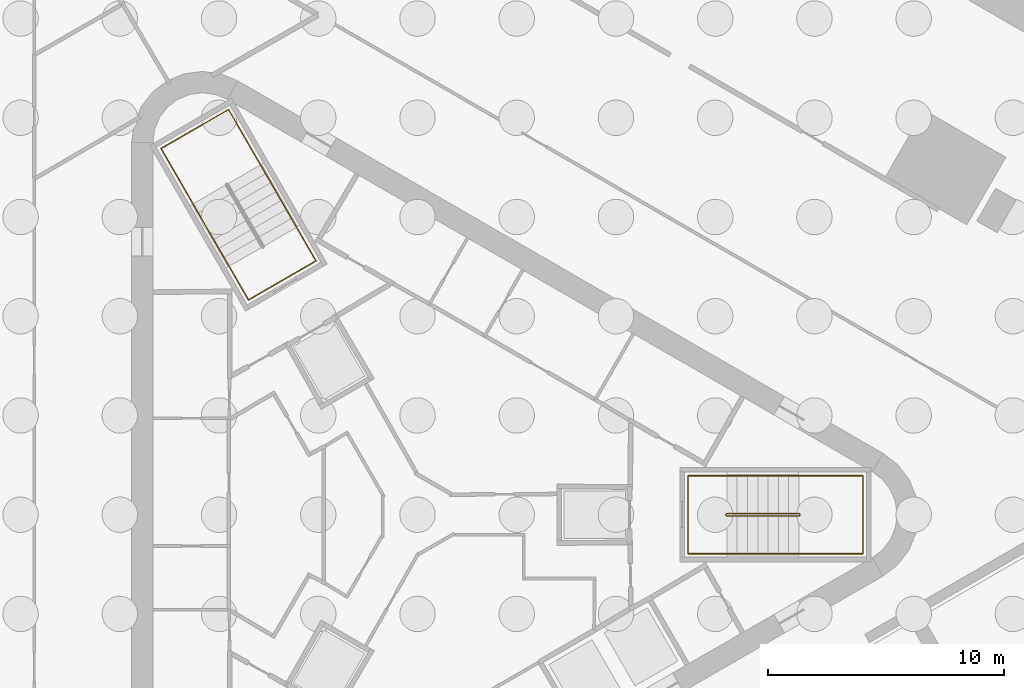
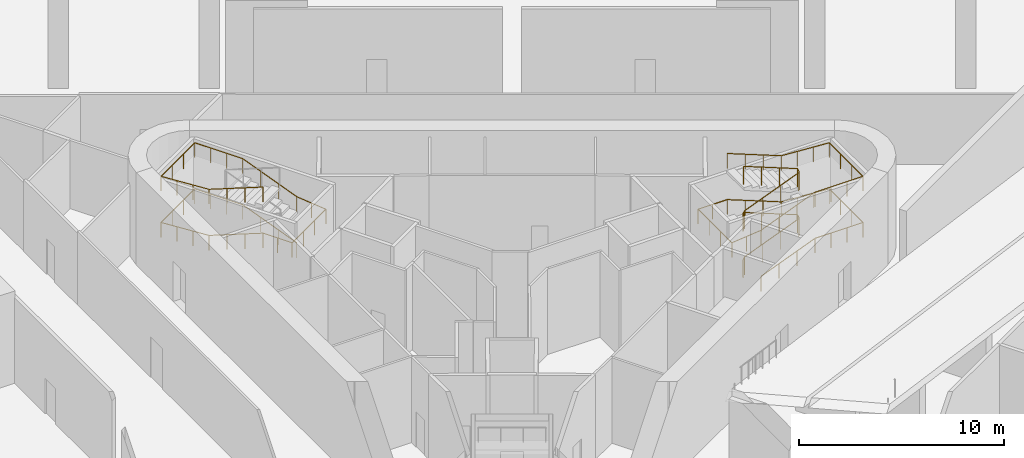
# One storey, part 12 of 13: 3 railings.
"""IFC4 building model written with IfcOpenShell, lengths in metres."""

import ifcopenshell
import ifcopenshell.guid

model = None  # the IFC model being written
_history = None  # IfcOwnerHistory: only IFC2X3 demands one
_inside = {}  # id of a spatial element -> (the spatial element, [elements in it])
_under = {}  # id of a project, library or spatial element -> (it, [spatial elements below it])
_declared = {}  # id of a project -> (the project, [libraries it declares])
_typed = {}  # id of a type object -> (the type object, [elements of that type])
_made_of = {}  # id of a material, layer set ... -> (it, [elements and type objects made of it])


def new_model(schema):
    """Start an empty IFC model of exactly this schema.

    Asked for "IFC4X3", IfcOpenShell would pick the latest addendum, in which some entities
    have other attributes; the version numbers below select the first issue.
    IFC2X3 requires an IfcOwnerHistory on every rooted entity: one is made here for all.
    """
    global model, _history
    if schema == "IFC4X3":
        model = ifcopenshell.file(schema_version=(4, 3, 0, 0))
    else:
        model = ifcopenshell.file(schema=schema)
    _inside.clear()
    _under.clear()
    _declared.clear()
    _typed.clear()
    _made_of.clear()
    _history = None
    if model.schema == "IFC2X3":
        org = make("IfcOrganization", Name="unknown")
        user = make(
            "IfcPersonAndOrganization",
            ThePerson=make("IfcPerson", FamilyName="unknown"),
            TheOrganization=org,
        )
        app = make(
            "IfcApplication",
            ApplicationDeveloper=org,
            Version="unknown",
            ApplicationFullName="unknown",
            ApplicationIdentifier="unknown",
        )
        _history = make(
            "IfcOwnerHistory",
            OwningUser=user,
            OwningApplication=app,
            ChangeAction="ADDED",
            CreationDate=0,
        )
    return model


def make(cls, **values):
    """One entity of the class cls with the attributes given. An attribute that is None is left unset."""
    return model.create_entity(
        cls, **{name: value for name, value in values.items() if value is not None}
    )


def rooted(cls, **values):
    """An entity with a GlobalId (a new one), such as an element, a storey or a relation."""
    return make(cls, GlobalId=ifcopenshell.guid.new(), OwnerHistory=_history, **values)


def si_unit(unit_type, name, prefix=None):
    """IfcSIUnit, for example si_unit("LENGTHUNIT", "METRE", prefix="MILLI")."""
    return make("IfcSIUnit", UnitType=unit_type, Prefix=prefix, Name=name)


def assignment(units):
    """IfcUnitAssignment: the units of a project."""
    return None if units is None else make("IfcUnitAssignment", Units=units)


def point(xyz):
    """IfcCartesianPoint."""
    return None if xyz is None else make("IfcCartesianPoint", Coordinates=xyz)


def direction(xyz):
    """IfcDirection."""
    return None if xyz is None else make("IfcDirection", DirectionRatios=xyz)


def frame(location, z_axis=None, x_axis=None):
    """IfcAxis2Placement3D, a coordinate frame: its origin and axes. An axis left out is left unset."""
    return make(
        "IfcAxis2Placement3D",
        Location=point(location),
        Axis=direction(z_axis),
        RefDirection=direction(x_axis),
    )


def frame_2d(location, x_axis=None):
    """IfcAxis2Placement2D, a coordinate frame in the plane: its origin and x axis."""
    return make(
        "IfcAxis2Placement2D", Location=point(location), RefDirection=direction(x_axis)
    )


def origin():
    """The frame at (0, 0, 0) with its axes left unset."""
    return frame((0.0, 0.0, 0.0))


def origin_2d():
    """The frame at (0, 0) in the plane with its x axis left unset."""
    return frame_2d((0.0, 0.0))


def place(relative_to, where):
    """IfcLocalPlacement: puts the frame where relative to a parent placement (None: the world)."""
    return make(
        "IfcLocalPlacement", PlacementRelTo=relative_to, RelativePlacement=where
    )


def context(
    kind, dimensions, precision=None, world=None, true_north=None, identifier=None
):
    """IfcGeometricRepresentationContext, for example the 3D "Model" context."""
    return make(
        "IfcGeometricRepresentationContext",
        ContextIdentifier=identifier,
        ContextType=kind,
        CoordinateSpaceDimension=dimensions,
        Precision=precision,
        WorldCoordinateSystem=world,
        TrueNorth=true_north,
    )


def subcontext(parent, identifier, kind, view, scale=None):
    """IfcGeometricRepresentationSubContext, for example "Body" below "Model"."""
    return make(
        "IfcGeometricRepresentationSubContext",
        ContextIdentifier=identifier,
        ContextType=kind,
        ParentContext=parent,
        TargetScale=scale,
        TargetView=view,
    )


def project(units=None, contexts=None):
    """IfcProject with its units and contexts."""
    return rooted(
        "IfcProject",
        Name="project",
        RepresentationContexts=contexts,
        UnitsInContext=assignment(units),
    )


def spatial(cls, under=None, at=None, **own):
    """A site, building, storey or space (cls), placed at a placement, below another one or the project."""
    s = rooted(cls, ObjectPlacement=at, **own)
    if under is not None:
        _under.setdefault(under.id(), (under, []))[1].append(s)
    return s


def profile(cls, at=None, kind="AREA", **sizes):
    """A parametric profile (cls). Its sizes go by their IFC names, for example OverallWidth=200.0."""
    return make(cls, ProfileType=kind, Position=at, **sizes)


def circle(**sizes):
    """IfcCircleProfileDef."""
    return profile("IfcCircleProfileDef", **sizes)


def extrude(swept, where, along, depth):
    """IfcExtrudedAreaSolid: the profile swept, set in the frame where, extruded along a direction by depth."""
    return make(
        "IfcExtrudedAreaSolid",
        SweptArea=swept,
        Position=where,
        ExtrudedDirection=direction(along),
        Depth=depth,
    )


def shape(context_of_items, identifier, shape_type, items):
    """IfcShapeRepresentation: the items that make up one representation, for example the "Body"."""
    return make(
        "IfcShapeRepresentation",
        ContextOfItems=context_of_items,
        RepresentationIdentifier=identifier,
        RepresentationType=shape_type,
        Items=items,
    )


def material(Name=None, Category=None):
    """IfcMaterial."""
    return make("IfcMaterial", Name=Name, Category=Category)


def made_of(thing, what):
    """Note that an element or type object is made of a material, layer set ...; save() writes the relation."""
    if what is not None:
        _made_of.setdefault(what.id(), (what, []))[1].append(thing)
    return thing


def type_object(cls, material=None, **own):
    """A type object (cls), such as IfcWallType, which elements share."""
    return made_of(rooted(cls, **own), material)


def element(
    cls,
    number,
    at=None,
    inside=None,
    cuts=None,
    type_object=None,
    material=None,
    context=None,
    identifier="Body",
    shape_type=None,
    held_by="IfcProductDefinitionShape",
    body=None,
    shapes=None,
    **own,
):
    """One element of the class cls, such as IfcWall. Its Tag is "e" and its number.

    at: its placement. inside: the storey or other place that contains it. cuts: it is an
    opening in that element (IfcRelVoidsElement). A single representation is given by context,
    identifier, shape_type and body (its items); several are given by shapes. held_by: the class
    of the entity that holds the representations. save() writes the other relations.
    """
    e = rooted(cls, Tag="e%d" % number, ObjectPlacement=at, **own)
    if body is not None:
        shapes = [shape(context, identifier, shape_type, body)]
    if shapes is not None:
        e.Representation = make(held_by, Representations=shapes)
    if inside is not None:
        _inside.setdefault(inside.id(), (inside, []))[1].append(e)
    if cuts is not None:
        rooted(
            "IfcRelVoidsElement", RelatingBuildingElement=cuts, RelatedOpeningElement=e
        )
    if type_object is not None:
        _typed.setdefault(type_object.id(), (type_object, []))[1].append(e)
    return made_of(e, material)


def aggregate(whole, parts):
    """IfcRelAggregates: a whole, such as a stair, and the parts it consists of."""
    return rooted("IfcRelAggregates", RelatingObject=whole, RelatedObjects=parts)


def save(model, path):
    """Write the relations noted so far, then the file.

    IfcRelAggregates (storeys below a building ...), IfcRelContainedInSpatialStructure (elements
    in a storey), IfcRelDefinesByType, IfcRelAssociatesMaterial and IfcRelDeclares: one each for
    every whole, place, type object, material and project.
    """
    for whole, parts in _under.values():
        aggregate(whole, parts)
    for where, things in _inside.values():
        rooted(
            "IfcRelContainedInSpatialStructure",
            RelatedElements=things,
            RelatingStructure=where,
        )
    for kind, things in _typed.values():
        rooted("IfcRelDefinesByType", RelatedObjects=things, RelatingType=kind)
    for what, things in _made_of.values():
        rooted("IfcRelAssociatesMaterial", RelatedObjects=things, RelatingMaterial=what)
    for by, libraries in _declared.values():
        rooted("IfcRelDeclares", RelatingContext=by, RelatedDefinitions=libraries)
    model.write(path)


model = new_model("IFC4")

# Units and contexts
model_context = context("Model", 3, precision=1e-05, world=origin(), true_north=direction((0.0, 1.0)))
body_context = subcontext(model_context, "Body", "Model", "MODEL_VIEW")
ifc_project = project(units=[si_unit("LENGTHUNIT", "METRE"), si_unit("AREAUNIT", "SQUARE_METRE"), si_unit("VOLUMEUNIT", "CUBIC_METRE"), si_unit("PLANEANGLEUNIT", "RADIAN"), si_unit("MASSUNIT", "GRAM", prefix="KILO")], contexts=[model_context])

# Site, building, storey
site_placement = place(None, origin())
site = spatial("IfcSite", under=ifc_project, at=site_placement, CompositionType="ELEMENT")
building_placement = place(site_placement, origin())
building = spatial("IfcBuilding", under=site, at=building_placement, Name="Tanit Gate Tower", CompositionType="ELEMENT")
storey_placement = place(building_placement, frame((0.0, 0.0, -11.0)))
storey = spatial("IfcBuildingStorey", under=building, at=storey_placement, Name="B2", CompositionType="ELEMENT", Elevation=-11.0)

# Railings
ifc_material_1 = material(Name="Stainless steel balustrade", Category="steel")
railing_type_1 = type_object("IfcRailingType", Name="INT-STAIR-GUARD", PredefinedType="GUARDRAIL", material=ifc_material_1)
railing_1_placement = place(storey_placement, frame((13.044921875, 0.0048828125, 0.0)))
element("IfcRailing", 1, at=railing_1_placement, inside=storey, type_object=railing_type_1, Name="B2 S1 stair guard 1", PredefinedType="GUARDRAIL", context=body_context, shape_type="SweptSolid", body=[
    extrude(circle(Radius=0.02392578125, at=origin_2d()), frame((0.0, 0.0, 1.076171875), z_axis=(0.0, -1.0, 0.0), x_axis=(1.0, 0.0, 0.0)), (0.0, 0.0, 1.0), 0.009765625),
    extrude(circle(Radius=0.02392578125, at=origin_2d()), frame((0.0, -0.009765625, 1.076171875), z_axis=(0.269255725606, -0.269255725606, 0.92466356501), x_axis=(0.707106781187, 0.707106781187, 0.0)), (0.0, 0.0, 1.0), 0.185791015625),
    extrude(circle(Radius=0.02392578125, at=origin_2d()), frame((0.050048828125, -0.059814453125, 1.248046875), z_axis=(0.930282949324, 0.0, 0.366842792212), x_axis=(0.0, 1.0, 0.0)), (0.0, 0.0, 1.0), 3.27978515625),
    extrude(circle(Radius=0.02392578125, at=origin_2d()), frame((3.10107421875, -0.059814453125, 2.451171875), z_axis=(0.707106781187, 0.707106781187, 0.0), x_axis=(-0.707106781187, 0.707106781187, 0.0)), (0.0, 0.0, 1.0), 0.07080078125),
    extrude(circle(Radius=0.02392578125, at=origin_2d()), frame((3.151123046875, -0.009765625, 2.451171875), z_axis=(0.0, 1.0, 0.0), x_axis=(-1.0, 0.0, 0.0)), (0.0, 0.0, 1.0), 0.009765625),
    extrude(circle(Radius=0.02392578125, at=origin_2d()), frame((3.151123046875, 0.0, 2.451171875), z_axis=(-0.269255725606, 0.269255725606, 0.92466356501), x_axis=(-0.707106781187, -0.707106781187, 0.0)), (0.0, 0.0, 1.0), 0.185791015625),
    extrude(circle(Radius=0.02392578125, at=origin_2d()), frame((3.10107421875, 0.050048828125, 2.623046875), z_axis=(-0.930282949324, 0.0, 0.366842792212), x_axis=(0.0, -1.0, 0.0)), (0.0, 0.0, 1.0), 3.27978515625),
    extrude(circle(Radius=0.02392578125, at=origin_2d()), frame((0.050048828125, 0.050048828125, 3.826171875), z_axis=(-0.707106781187, -0.707106781187, 0.0), x_axis=(0.707106781187, -0.707106781187, 0.0)), (0.0, 0.0, 1.0), 0.07080078125),
    extrude(circle(Radius=0.02392578125, at=origin_2d()), frame((0.0, 0.0, 3.826171875), z_axis=(0.0, -1.0, 0.0), x_axis=(1.0, 0.0, 0.0)), (0.0, 0.0, 1.0), 0.009765625),
    extrude(circle(Radius=0.02392578125, at=origin_2d()), frame((0.0, -0.009765625, 3.826171875), z_axis=(0.269255725606, -0.269255725606, 0.92466356501), x_axis=(0.707106781187, 0.707106781187, 0.0)), (0.0, 0.0, 1.0), 0.185791015625),
    extrude(circle(Radius=0.02392578125, at=origin_2d()), frame((0.050048828125, -0.059814453125, 3.998046875), z_axis=(0.930282949324, 0.0, 0.366842792212), x_axis=(0.0, 1.0, 0.0)), (0.0, 0.0, 1.0), 3.27978515625),
    extrude(circle(Radius=0.02392578125, at=origin_2d()), frame((3.10107421875, -0.059814453125, 5.201171875), z_axis=(0.707106781187, 0.707106781187, 0.0), x_axis=(-0.707106781187, 0.707106781187, 0.0)), (0.0, 0.0, 1.0), 0.07080078125),
    extrude(circle(Radius=0.02392578125, at=origin_2d()), frame((3.151123046875, -0.009765625, 5.201171875), z_axis=(0.0, 1.0, 0.0), x_axis=(-1.0, 0.0, 0.0)), (0.0, 0.0, 1.0), 0.009765625),
    extrude(circle(Radius=0.02392578125, at=origin_2d()), frame((3.151123046875, 0.0, 5.201171875), z_axis=(-0.269255725606, 0.269255725606, 0.92466356501), x_axis=(-0.707106781187, -0.707106781187, 0.0)), (0.0, 0.0, 1.0), 0.185791015625),
    extrude(circle(Radius=0.02392578125, at=origin_2d()), frame((3.10107421875, 0.050048828125, 5.373046875), z_axis=(-0.930282949324, 0.0, 0.366842792212), x_axis=(0.0, -1.0, 0.0)), (0.0, 0.0, 1.0), 3.27978515625),
    extrude(circle(Radius=0.02099609375, at=origin_2d()), origin(), (0.0, 0.0, 1.0), 1.052001953125),
    extrude(circle(Radius=0.02099609375, at=origin_2d()), frame((0.0, -0.009765625, 0.0)), (0.0, 0.0, 1.0), 1.052001953125),
    extrude(circle(Radius=0.02099609375, at=origin_2d()), frame((0.050048828125, -0.059814453125, 0.171875)), (0.0, 0.0, 1.0), 1.052001953125),
    extrude(circle(Radius=0.02099609375, at=origin_2d()), frame((1.067138671875, -0.059814453125, 0.572998046875)), (0.0, 0.0, 1.0), 1.052001953125),
    extrude(circle(Radius=0.02099609375, at=origin_2d()), frame((2.083984375, -0.059814453125, 0.973876953125)), (0.0, 0.0, 1.0), 1.052001953125),
    extrude(circle(Radius=0.02099609375, at=origin_2d()), frame((3.10107421875, -0.059814453125, 1.375)), (0.0, 0.0, 1.0), 1.052001953125),
    extrude(circle(Radius=0.02099609375, at=origin_2d()), frame((3.151123046875, -0.009765625, 1.375)), (0.0, 0.0, 1.0), 1.052001953125),
    extrude(circle(Radius=0.02099609375, at=origin_2d()), frame((3.151123046875, 0.0, 1.375)), (0.0, 0.0, 1.0), 1.052001953125),
    extrude(circle(Radius=0.02099609375, at=origin_2d()), frame((3.10107421875, 0.050048828125, 1.546875)), (0.0, 0.0, 1.0), 1.052001953125),
    extrude(circle(Radius=0.02099609375, at=origin_2d()), frame((2.083984375, 0.050048828125, 1.947998046875)), (0.0, 0.0, 1.0), 1.052001953125),
    extrude(circle(Radius=0.02099609375, at=origin_2d()), frame((1.067138671875, 0.050048828125, 2.348876953125)), (0.0, 0.0, 1.0), 1.052001953125),
    extrude(circle(Radius=0.02099609375, at=origin_2d()), frame((0.050048828125, 0.050048828125, 2.75)), (0.0, 0.0, 1.0), 1.052001953125),
    extrude(circle(Radius=0.02099609375, at=origin_2d()), frame((0.0, 0.0, 2.75)), (0.0, 0.0, 1.0), 1.052001953125),
    extrude(circle(Radius=0.02099609375, at=origin_2d()), frame((0.0, -0.009765625, 2.75)), (0.0, 0.0, 1.0), 1.052001953125),
    extrude(circle(Radius=0.02099609375, at=origin_2d()), frame((0.050048828125, -0.059814453125, 2.921875)), (0.0, 0.0, 1.0), 1.052001953125),
    extrude(circle(Radius=0.02099609375, at=origin_2d()), frame((1.067138671875, -0.059814453125, 3.322998046875)), (0.0, 0.0, 1.0), 1.052001953125),
    extrude(circle(Radius=0.02099609375, at=origin_2d()), frame((2.083984375, -0.059814453125, 3.723876953125)), (0.0, 0.0, 1.0), 1.052001953125),
    extrude(circle(Radius=0.02099609375, at=origin_2d()), frame((3.10107421875, -0.059814453125, 4.125)), (0.0, 0.0, 1.0), 1.052001953125),
    extrude(circle(Radius=0.02099609375, at=origin_2d()), frame((3.151123046875, -0.009765625, 4.125)), (0.0, 0.0, 1.0), 1.052001953125),
    extrude(circle(Radius=0.02099609375, at=origin_2d()), frame((3.151123046875, 0.0, 4.125)), (0.0, 0.0, 1.0), 1.052001953125),
    extrude(circle(Radius=0.02099609375, at=origin_2d()), frame((3.10107421875, 0.050048828125, 4.296875)), (0.0, 0.0, 1.0), 1.052001953125),
    extrude(circle(Radius=0.02099609375, at=origin_2d()), frame((2.083984375, 0.050048828125, 4.697998046875)), (0.0, 0.0, 1.0), 1.052001953125),
    extrude(circle(Radius=0.02099609375, at=origin_2d()), frame((1.067138671875, 0.050048828125, 5.098876953125)), (0.0, 0.0, 1.0), 1.052001953125),
    extrude(circle(Radius=0.02099609375, at=origin_2d()), frame((0.050048828125, 0.050048828125, 5.5)), (0.0, 0.0, 1.0), 1.052001953125),
])
ifc_material_2 = material(Name="Stainless steel handrail", Category="steel")
railing_type_2 = type_object("IfcRailingType", Name="INT-STAIR-HANDRAIL", PredefinedType="HANDRAIL", material=ifc_material_2)
railing_2_placement = place(storey_placement, frame((13.094970703125, -1.64990234375, 0.171875)))
element("IfcRailing", 2, at=railing_2_placement, inside=storey, type_object=railing_type_2, Name="B2 S1 stair handrail 1", PredefinedType="HANDRAIL", context=body_context, shape_type="SweptSolid", body=[
    extrude(circle(Radius=0.02392578125, at=origin_2d()), frame((0.0, 0.0, 0.8759765625), z_axis=(0.930282949324, 0.0, 0.366842792212), x_axis=(0.0, 1.0, 0.0)), (0.0, 0.0, 1.0), 3.27978515625),
    extrude(circle(Radius=0.02392578125, at=origin_2d()), frame((3.051025390625, 0.0, 2.0791015625), z_axis=(1.0, 0.0, 0.0), x_axis=(0.0, 1.0, 0.0)), (0.0, 0.0, 1.0), 2.7041015625),
    extrude(circle(Radius=0.02392578125, at=origin_2d()), frame((5.755126953125, 0.0, 2.0791015625), z_axis=(0.0, 1.0, 0.0), x_axis=(-1.0, 0.0, 0.0)), (0.0, 0.0, 1.0), 3.2998046875),
    extrude(circle(Radius=0.02392578125, at=origin_2d()), frame((5.755126953125, 3.2998046875, 2.0791015625), z_axis=(-0.99798610904, 0.0, 0.063432847667), x_axis=(0.0, -1.0, 0.0)), (0.0, 0.0, 1.0), 2.70947265625),
    extrude(circle(Radius=0.02392578125, at=origin_2d()), frame((3.051025390625, 3.2998046875, 2.2509765625), z_axis=(-0.930282949324, 0.0, 0.366842792212), x_axis=(0.0, -1.0, 0.0)), (0.0, 0.0, 1.0), 3.27978515625),
    extrude(circle(Radius=0.02392578125, at=origin_2d()), frame((0.0, 3.2998046875, 3.4541015625), z_axis=(-1.0, 0.0, 0.0), x_axis=(0.0, -1.0, 0.0)), (0.0, 0.0, 1.0), 1.64501953125),
    extrude(circle(Radius=0.02392578125, at=origin_2d()), frame((-1.64501953125, 3.2998046875, 3.4541015625), z_axis=(0.0, -1.0, 0.0), x_axis=(1.0, 0.0, 0.0)), (0.0, 0.0, 1.0), 3.2998046875),
    extrude(circle(Radius=0.02392578125, at=origin_2d()), frame((-1.64501953125, 0.0, 3.4541015625), z_axis=(0.994586037459, 0.0, 0.103916380287), x_axis=(0.0, 1.0, 0.0)), (0.0, 0.0, 1.0), 1.654052734375),
    extrude(circle(Radius=0.02392578125, at=origin_2d()), frame((0.0, 0.0, 3.6259765625), z_axis=(0.930282949324, 0.0, 0.366842792212), x_axis=(0.0, 1.0, 0.0)), (0.0, 0.0, 1.0), 3.27978515625),
    extrude(circle(Radius=0.02392578125, at=origin_2d()), frame((3.051025390625, 0.0, 4.8291015625), z_axis=(1.0, 0.0, 0.0), x_axis=(0.0, 1.0, 0.0)), (0.0, 0.0, 1.0), 2.7041015625),
    extrude(circle(Radius=0.02392578125, at=origin_2d()), frame((5.755126953125, 0.0, 4.8291015625), z_axis=(0.0, 1.0, 0.0), x_axis=(-1.0, 0.0, 0.0)), (0.0, 0.0, 1.0), 3.2998046875),
    extrude(circle(Radius=0.02392578125, at=origin_2d()), frame((5.755126953125, 3.2998046875, 4.8291015625), z_axis=(-0.99798610904, 0.0, 0.063432847667), x_axis=(0.0, -1.0, 0.0)), (0.0, 0.0, 1.0), 2.70947265625),
    extrude(circle(Radius=0.02392578125, at=origin_2d()), frame((3.051025390625, 3.2998046875, 5.0009765625), z_axis=(-0.930282949324, 0.0, 0.366842792212), x_axis=(0.0, -1.0, 0.0)), (0.0, 0.0, 1.0), 3.27978515625),
    extrude(circle(Radius=0.02099609375, at=origin_2d()), origin(), (0.0, 0.0, 1.0), 0.851806640625),
    extrude(circle(Radius=0.02099609375, at=origin_2d()), frame((1.01708984375, 0.0, 0.401123046875)), (0.0, 0.0, 1.0), 0.851806640625),
    extrude(circle(Radius=0.02099609375, at=origin_2d()), frame((2.033935546875, 0.0, 0.802001953125)), (0.0, 0.0, 1.0), 0.851806640625),
    extrude(circle(Radius=0.02099609375, at=origin_2d()), frame((3.051025390625, 0.0, 1.203125)), (0.0, 0.0, 1.0), 0.851806640625),
    extrude(circle(Radius=0.02099609375, at=origin_2d()), frame((3.952392578125, 0.0, 1.203125)), (0.0, 0.0, 1.0), 0.851806640625),
    extrude(circle(Radius=0.02099609375, at=origin_2d()), frame((4.853759765625, 0.0, 1.203125)), (0.0, 0.0, 1.0), 0.851806640625),
    extrude(circle(Radius=0.02099609375, at=origin_2d()), frame((5.755126953125, 0.0, 1.203125)), (0.0, 0.0, 1.0), 0.851806640625),
    extrude(circle(Radius=0.02099609375, at=origin_2d()), frame((5.755126953125, 1.099853515625, 1.203125)), (0.0, 0.0, 1.0), 0.851806640625),
    extrude(circle(Radius=0.02099609375, at=origin_2d()), frame((5.755126953125, 2.199951171875, 1.203125)), (0.0, 0.0, 1.0), 0.851806640625),
    extrude(circle(Radius=0.02099609375, at=origin_2d()), frame((5.755126953125, 3.2998046875, 1.203125)), (0.0, 0.0, 1.0), 0.851806640625),
    extrude(circle(Radius=0.02099609375, at=origin_2d()), frame((4.853759765625, 3.2998046875, 1.260498046875)), (0.0, 0.0, 1.0), 0.851806640625),
    extrude(circle(Radius=0.02099609375, at=origin_2d()), frame((3.952392578125, 3.2998046875, 1.317626953125)), (0.0, 0.0, 1.0), 0.851806640625),
    extrude(circle(Radius=0.02099609375, at=origin_2d()), frame((3.051025390625, 3.2998046875, 1.375)), (0.0, 0.0, 1.0), 0.851806640625),
    extrude(circle(Radius=0.02099609375, at=origin_2d()), frame((2.033935546875, 3.2998046875, 1.776123046875)), (0.0, 0.0, 1.0), 0.851806640625),
    extrude(circle(Radius=0.02099609375, at=origin_2d()), frame((1.01708984375, 3.2998046875, 2.177001953125)), (0.0, 0.0, 1.0), 0.851806640625),
    extrude(circle(Radius=0.02099609375, at=origin_2d()), frame((0.0, 3.2998046875, 2.578125)), (0.0, 0.0, 1.0), 0.851806640625),
    extrude(circle(Radius=0.02099609375, at=origin_2d()), frame((-0.822509765625, 3.2998046875, 2.578125)), (0.0, 0.0, 1.0), 0.851806640625),
    extrude(circle(Radius=0.02099609375, at=origin_2d()), frame((-1.64501953125, 3.2998046875, 2.578125)), (0.0, 0.0, 1.0), 0.851806640625),
    extrude(circle(Radius=0.02099609375, at=origin_2d()), frame((-1.64501953125, 2.199951171875, 2.578125)), (0.0, 0.0, 1.0), 0.851806640625),
    extrude(circle(Radius=0.02099609375, at=origin_2d()), frame((-1.64501953125, 1.099853515625, 2.578125)), (0.0, 0.0, 1.0), 0.851806640625),
    extrude(circle(Radius=0.02099609375, at=origin_2d()), frame((-1.64501953125, 0.0, 2.578125)), (0.0, 0.0, 1.0), 0.851806640625),
    extrude(circle(Radius=0.02099609375, at=origin_2d()), frame((-0.822509765625, 0.0, 2.6640625)), (0.0, 0.0, 1.0), 0.851806640625),
    extrude(circle(Radius=0.02099609375, at=origin_2d()), frame((0.0, 0.0, 2.75)), (0.0, 0.0, 1.0), 0.851806640625),
    extrude(circle(Radius=0.02099609375, at=origin_2d()), frame((1.01708984375, 0.0, 3.151123046875)), (0.0, 0.0, 1.0), 0.851806640625),
    extrude(circle(Radius=0.02099609375, at=origin_2d()), frame((2.033935546875, 0.0, 3.552001953125)), (0.0, 0.0, 1.0), 0.851806640625),
    extrude(circle(Radius=0.02099609375, at=origin_2d()), frame((3.051025390625, 0.0, 3.953125)), (0.0, 0.0, 1.0), 0.851806640625),
    extrude(circle(Radius=0.02099609375, at=origin_2d()), frame((3.952392578125, 0.0, 3.953125)), (0.0, 0.0, 1.0), 0.851806640625),
    extrude(circle(Radius=0.02099609375, at=origin_2d()), frame((4.853759765625, 0.0, 3.953125)), (0.0, 0.0, 1.0), 0.851806640625),
    extrude(circle(Radius=0.02099609375, at=origin_2d()), frame((5.755126953125, 0.0, 3.953125)), (0.0, 0.0, 1.0), 0.851806640625),
    extrude(circle(Radius=0.02099609375, at=origin_2d()), frame((5.755126953125, 1.099853515625, 3.953125)), (0.0, 0.0, 1.0), 0.851806640625),
    extrude(circle(Radius=0.02099609375, at=origin_2d()), frame((5.755126953125, 2.199951171875, 3.953125)), (0.0, 0.0, 1.0), 0.851806640625),
    extrude(circle(Radius=0.02099609375, at=origin_2d()), frame((5.755126953125, 3.2998046875, 3.953125)), (0.0, 0.0, 1.0), 0.851806640625),
    extrude(circle(Radius=0.02099609375, at=origin_2d()), frame((4.853759765625, 3.2998046875, 4.010498046875)), (0.0, 0.0, 1.0), 0.851806640625),
    extrude(circle(Radius=0.02099609375, at=origin_2d()), frame((3.952392578125, 3.2998046875, 4.067626953125)), (0.0, 0.0, 1.0), 0.851806640625),
    extrude(circle(Radius=0.02099609375, at=origin_2d()), frame((3.051025390625, 3.2998046875, 4.125)), (0.0, 0.0, 1.0), 0.851806640625),
    extrude(circle(Radius=0.02099609375, at=origin_2d()), frame((2.033935546875, 3.2998046875, 4.526123046875)), (0.0, 0.0, 1.0), 0.851806640625),
    extrude(circle(Radius=0.02099609375, at=origin_2d()), frame((1.01708984375, 3.2998046875, 4.927001953125)), (0.0, 0.0, 1.0), 0.851806640625),
    extrude(circle(Radius=0.02099609375, at=origin_2d()), frame((0.0, 3.2998046875, 5.328125)), (0.0, 0.0, 1.0), 0.851806640625),
])
railing_3_placement = place(storey_placement, frame((-5.1181640625, 12.164794921875, 0.171875)))
element("IfcRailing", 3, at=railing_3_placement, inside=storey, type_object=railing_type_2, Name="B2 S2 stair handrail 1", PredefinedType="HANDRAIL", context=body_context, shape_type="SweptSolid", body=[
    extrude(circle(Radius=0.02392578125, at=origin_2d()), frame((0.0, 0.0, 0.8759765625), z_axis=(-0.465066359932, 0.805598614514, 0.367047889453), x_axis=(-0.866046917185, -0.499962735845, 0.0)), (0.0, 0.0, 1.0), 3.27783203125),
    extrude(circle(Radius=0.02392578125, at=origin_2d()), frame((-1.5244140625, 2.640625, 2.0791015625), z_axis=(-0.500019123664, 0.86601436245, 0.0), x_axis=(-0.86601436245, -0.500019123664, 0.0)), (0.0, 0.0, 1.0), 2.70703125),
    extrude(circle(Radius=0.02392578125, at=origin_2d()), frame((-2.8779296875, 4.98486328125, 2.0791015625), z_axis=(-0.866008176907, -0.50002983664, 0.0), x_axis=(0.50002983664, -0.866008176907, 0.0)), (0.0, 0.0, 1.0), 3.300048828125),
    extrude(circle(Radius=0.02392578125, at=origin_2d()), frame((-5.73583984375, 3.334716796875, 2.0791015625), z_axis=(0.499053057293, -0.864251154955, 0.063371816799), x_axis=(0.865991810323, 0.500058181068, 0.0)), (0.0, 0.0, 1.0), 2.712158203125),
    extrude(circle(Radius=0.02392578125, at=origin_2d()), frame((-4.38232421875, 0.99072265625, 2.2509765625), z_axis=(0.465096823945, -0.80559685262, 0.367013154267), x_axis=(0.866032263162, 0.499988119021, 0.0)), (0.0, 0.0, 1.0), 3.278076171875),
    extrude(circle(Radius=0.02392578125, at=origin_2d()), frame((-2.857666015625, -1.650146484375, 3.4541015625), z_axis=(0.499941024108, -0.866059450854, 0.0), x_axis=(0.866059450854, 0.499941024108, 0.0)), (0.0, 0.0, 1.0), 1.643798828125),
    extrude(circle(Radius=0.02392578125, at=origin_2d()), frame((-2.035888671875, -3.07373046875, 3.4541015625), z_axis=(0.866040211805, 0.499974350878, 0.0), x_axis=(-0.499974350878, 0.866040211805, 0.0)), (0.0, 0.0, 1.0), 3.300048828125),
    extrude(circle(Radius=0.02392578125, at=origin_2d()), frame((0.822021484375, -1.423828125, 3.4541015625), z_axis=(-0.497278129023, 0.861338297732, 0.103974993416), x_axis=(-0.866032269107, -0.499988108725, 0.0)), (0.0, 0.0, 1.0), 1.653076171875),
    extrude(circle(Radius=0.02392578125, at=origin_2d()), frame((0.0, 0.0, 3.6259765625), z_axis=(-0.465066359932, 0.805598614514, 0.367047889453), x_axis=(-0.866046917185, -0.499962735845, 0.0)), (0.0, 0.0, 1.0), 3.27783203125),
    extrude(circle(Radius=0.02392578125, at=origin_2d()), frame((-1.5244140625, 2.640625, 4.8291015625), z_axis=(-0.500019123664, 0.86601436245, 0.0), x_axis=(-0.86601436245, -0.500019123664, 0.0)), (0.0, 0.0, 1.0), 2.70703125),
    extrude(circle(Radius=0.02392578125, at=origin_2d()), frame((-2.8779296875, 4.98486328125, 4.8291015625), z_axis=(-0.866008176907, -0.50002983664, 0.0), x_axis=(0.50002983664, -0.866008176907, 0.0)), (0.0, 0.0, 1.0), 3.300048828125),
    extrude(circle(Radius=0.02392578125, at=origin_2d()), frame((-5.73583984375, 3.334716796875, 4.8291015625), z_axis=(0.499053057293, -0.864251154955, 0.063371816799), x_axis=(0.865991810323, 0.500058181068, 0.0)), (0.0, 0.0, 1.0), 2.712158203125),
    extrude(circle(Radius=0.02392578125, at=origin_2d()), frame((-4.38232421875, 0.99072265625, 5.0009765625), z_axis=(0.465096823945, -0.80559685262, 0.367013154267), x_axis=(0.866032263162, 0.499988119021, 0.0)), (0.0, 0.0, 1.0), 3.278076171875),
    extrude(circle(Radius=0.02099609375, at=origin_2d()), origin(), (0.0, 0.0, 1.0), 0.851806640625),
    extrude(circle(Radius=0.02099609375, at=origin_2d()), frame((-0.508056640625, 0.880126953125, 0.401123046875)), (0.0, 0.0, 1.0), 0.851806640625),
    extrude(circle(Radius=0.02099609375, at=origin_2d()), frame((-1.016357421875, 1.760498046875, 0.802001953125)), (0.0, 0.0, 1.0), 0.851806640625),
    extrude(circle(Radius=0.02099609375, at=origin_2d()), frame((-1.5244140625, 2.640625, 1.203125)), (0.0, 0.0, 1.0), 0.851806640625),
    extrude(circle(Radius=0.02099609375, at=origin_2d()), frame((-1.9755859375, 3.422119140625, 1.203125)), (0.0, 0.0, 1.0), 0.851806640625),
    extrude(circle(Radius=0.02099609375, at=origin_2d()), frame((-2.4267578125, 4.203369140625, 1.203125)), (0.0, 0.0, 1.0), 0.851806640625),
    extrude(circle(Radius=0.02099609375, at=origin_2d()), frame((-2.8779296875, 4.98486328125, 1.203125)), (0.0, 0.0, 1.0), 0.851806640625),
    extrude(circle(Radius=0.02099609375, at=origin_2d()), frame((-3.83056640625, 4.434814453125, 1.203125)), (0.0, 0.0, 1.0), 0.851806640625),
    extrude(circle(Radius=0.02099609375, at=origin_2d()), frame((-4.783203125, 3.884765625, 1.203125)), (0.0, 0.0, 1.0), 0.851806640625),
    extrude(circle(Radius=0.02099609375, at=origin_2d()), frame((-5.73583984375, 3.334716796875, 1.203125)), (0.0, 0.0, 1.0), 0.851806640625),
    extrude(circle(Radius=0.02099609375, at=origin_2d()), frame((-5.28466796875, 2.553466796875, 1.260498046875)), (0.0, 0.0, 1.0), 0.851806640625),
    extrude(circle(Radius=0.02099609375, at=origin_2d()), frame((-4.83349609375, 1.77197265625, 1.317626953125)), (0.0, 0.0, 1.0), 0.851806640625),
    extrude(circle(Radius=0.02099609375, at=origin_2d()), frame((-4.38232421875, 0.99072265625, 1.375)), (0.0, 0.0, 1.0), 0.851806640625),
    extrude(circle(Radius=0.02099609375, at=origin_2d()), frame((-3.8740234375, 0.1103515625, 1.776123046875)), (0.0, 0.0, 1.0), 0.851806640625),
    extrude(circle(Radius=0.02099609375, at=origin_2d()), frame((-3.365966796875, -0.769775390625, 2.177001953125)), (0.0, 0.0, 1.0), 0.851806640625),
    extrude(circle(Radius=0.02099609375, at=origin_2d()), frame((-2.857666015625, -1.650146484375, 2.578125)), (0.0, 0.0, 1.0), 0.851806640625),
    extrude(circle(Radius=0.02099609375, at=origin_2d()), frame((-2.44677734375, -2.36181640625, 2.578125)), (0.0, 0.0, 1.0), 0.851806640625),
    extrude(circle(Radius=0.02099609375, at=origin_2d()), frame((-2.035888671875, -3.07373046875, 2.578125)), (0.0, 0.0, 1.0), 0.851806640625),
    extrude(circle(Radius=0.02099609375, at=origin_2d()), frame((-1.083251953125, -2.523681640625, 2.578125)), (0.0, 0.0, 1.0), 0.851806640625),
    extrude(circle(Radius=0.02099609375, at=origin_2d()), frame((-0.130615234375, -1.973876953125, 2.578125)), (0.0, 0.0, 1.0), 0.851806640625),
    extrude(circle(Radius=0.02099609375, at=origin_2d()), frame((0.822021484375, -1.423828125, 2.578125)), (0.0, 0.0, 1.0), 0.851806640625),
    extrude(circle(Radius=0.02099609375, at=origin_2d()), frame((0.4111328125, -0.7119140625, 2.6640625)), (0.0, 0.0, 1.0), 0.851806640625),
    extrude(circle(Radius=0.02099609375, at=origin_2d()), frame((0.0, 0.0, 2.75)), (0.0, 0.0, 1.0), 0.851806640625),
    extrude(circle(Radius=0.02099609375, at=origin_2d()), frame((-0.508056640625, 0.880126953125, 3.151123046875)), (0.0, 0.0, 1.0), 0.851806640625),
    extrude(circle(Radius=0.02099609375, at=origin_2d()), frame((-1.016357421875, 1.760498046875, 3.552001953125)), (0.0, 0.0, 1.0), 0.851806640625),
    extrude(circle(Radius=0.02099609375, at=origin_2d()), frame((-1.5244140625, 2.640625, 3.953125)), (0.0, 0.0, 1.0), 0.851806640625),
    extrude(circle(Radius=0.02099609375, at=origin_2d()), frame((-1.9755859375, 3.422119140625, 3.953125)), (0.0, 0.0, 1.0), 0.851806640625),
    extrude(circle(Radius=0.02099609375, at=origin_2d()), frame((-2.4267578125, 4.203369140625, 3.953125)), (0.0, 0.0, 1.0), 0.851806640625),
    extrude(circle(Radius=0.02099609375, at=origin_2d()), frame((-2.8779296875, 4.98486328125, 3.953125)), (0.0, 0.0, 1.0), 0.851806640625),
    extrude(circle(Radius=0.02099609375, at=origin_2d()), frame((-3.83056640625, 4.434814453125, 3.953125)), (0.0, 0.0, 1.0), 0.851806640625),
    extrude(circle(Radius=0.02099609375, at=origin_2d()), frame((-4.783203125, 3.884765625, 3.953125)), (0.0, 0.0, 1.0), 0.851806640625),
    extrude(circle(Radius=0.02099609375, at=origin_2d()), frame((-5.73583984375, 3.334716796875, 3.953125)), (0.0, 0.0, 1.0), 0.851806640625),
    extrude(circle(Radius=0.02099609375, at=origin_2d()), frame((-5.28466796875, 2.553466796875, 4.010498046875)), (0.0, 0.0, 1.0), 0.851806640625),
    extrude(circle(Radius=0.02099609375, at=origin_2d()), frame((-4.83349609375, 1.77197265625, 4.067626953125)), (0.0, 0.0, 1.0), 0.851806640625),
    extrude(circle(Radius=0.02099609375, at=origin_2d()), frame((-4.38232421875, 0.99072265625, 4.125)), (0.0, 0.0, 1.0), 0.851806640625),
    extrude(circle(Radius=0.02099609375, at=origin_2d()), frame((-3.8740234375, 0.1103515625, 4.526123046875)), (0.0, 0.0, 1.0), 0.851806640625),
    extrude(circle(Radius=0.02099609375, at=origin_2d()), frame((-3.365966796875, -0.769775390625, 4.927001953125)), (0.0, 0.0, 1.0), 0.851806640625),
    extrude(circle(Radius=0.02099609375, at=origin_2d()), frame((-2.857666015625, -1.650146484375, 5.328125)), (0.0, 0.0, 1.0), 0.851806640625),
])

save(model, "model.ifc")
